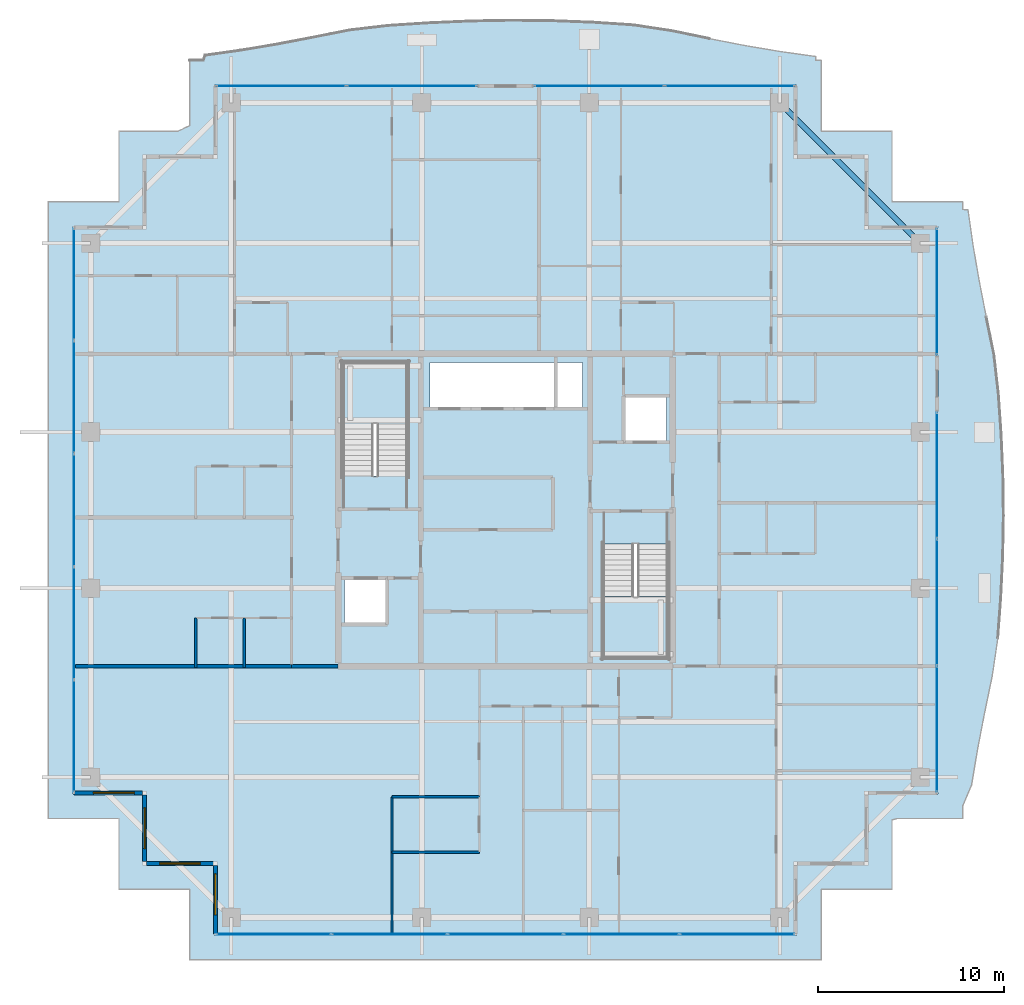
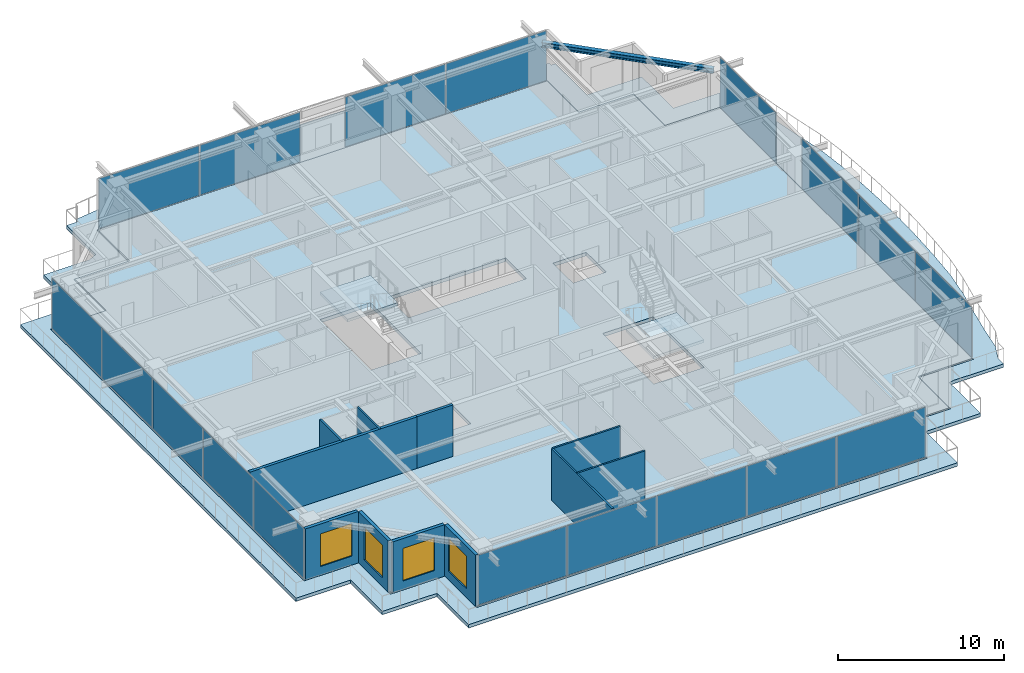
# One storey, part 27 of 39: 18 plates, 11 walls, 4 slabs, 4 windows, 1 beam, 4 openings, 8 elements without a shape of their own.
"""IFC4 building model written with IfcOpenShell, lengths in metres."""

import ifcopenshell
import ifcopenshell.guid

model = None  # the IFC model being written
_history = None  # IfcOwnerHistory: only IFC2X3 demands one
_inside = {}  # id of a spatial element -> (the spatial element, [elements in it])
_under = {}  # id of a project, library or spatial element -> (it, [spatial elements below it])
_declared = {}  # id of a project -> (the project, [libraries it declares])
_typed = {}  # id of a type object -> (the type object, [elements of that type])
_made_of = {}  # id of a material, layer set ... -> (it, [elements and type objects made of it])


def new_model(schema):
    """Start an empty IFC model of exactly this schema.

    Asked for "IFC4X3", IfcOpenShell would pick the latest addendum, in which some entities
    have other attributes; the version numbers below select the first issue.
    IFC2X3 requires an IfcOwnerHistory on every rooted entity: one is made here for all.
    """
    global model, _history
    if schema == "IFC4X3":
        model = ifcopenshell.file(schema_version=(4, 3, 0, 0))
    else:
        model = ifcopenshell.file(schema=schema)
    _inside.clear()
    _under.clear()
    _declared.clear()
    _typed.clear()
    _made_of.clear()
    _history = None
    if model.schema == "IFC2X3":
        org = make("IfcOrganization", Name="unknown")
        user = make(
            "IfcPersonAndOrganization",
            ThePerson=make("IfcPerson", FamilyName="unknown"),
            TheOrganization=org,
        )
        app = make(
            "IfcApplication",
            ApplicationDeveloper=org,
            Version="unknown",
            ApplicationFullName="unknown",
            ApplicationIdentifier="unknown",
        )
        _history = make(
            "IfcOwnerHistory",
            OwningUser=user,
            OwningApplication=app,
            ChangeAction="ADDED",
            CreationDate=0,
        )
    return model


def make(cls, **values):
    """One entity of the class cls with the attributes given. An attribute that is None is left unset."""
    return model.create_entity(
        cls, **{name: value for name, value in values.items() if value is not None}
    )


def rooted(cls, **values):
    """An entity with a GlobalId (a new one), such as an element, a storey or a relation."""
    return make(cls, GlobalId=ifcopenshell.guid.new(), OwnerHistory=_history, **values)


def si_unit(unit_type, name, prefix=None):
    """IfcSIUnit, for example si_unit("LENGTHUNIT", "METRE", prefix="MILLI")."""
    return make("IfcSIUnit", UnitType=unit_type, Prefix=prefix, Name=name)


def assignment(units):
    """IfcUnitAssignment: the units of a project."""
    return None if units is None else make("IfcUnitAssignment", Units=units)


def point(xyz):
    """IfcCartesianPoint."""
    return None if xyz is None else make("IfcCartesianPoint", Coordinates=xyz)


def direction(xyz):
    """IfcDirection."""
    return None if xyz is None else make("IfcDirection", DirectionRatios=xyz)


def frame(location, z_axis=None, x_axis=None):
    """IfcAxis2Placement3D, a coordinate frame: its origin and axes. An axis left out is left unset."""
    return make(
        "IfcAxis2Placement3D",
        Location=point(location),
        Axis=direction(z_axis),
        RefDirection=direction(x_axis),
    )


def frame_2d(location, x_axis=None):
    """IfcAxis2Placement2D, a coordinate frame in the plane: its origin and x axis."""
    return make(
        "IfcAxis2Placement2D", Location=point(location), RefDirection=direction(x_axis)
    )


def origin():
    """The frame at (0, 0, 0) with its axes left unset."""
    return frame((0.0, 0.0, 0.0))


def origin_2d():
    """The frame at (0, 0) in the plane with its x axis left unset."""
    return frame_2d((0.0, 0.0))


def place(relative_to, where):
    """IfcLocalPlacement: puts the frame where relative to a parent placement (None: the world)."""
    return make(
        "IfcLocalPlacement", PlacementRelTo=relative_to, RelativePlacement=where
    )


def context(
    kind, dimensions, precision=None, world=None, true_north=None, identifier=None
):
    """IfcGeometricRepresentationContext, for example the 3D "Model" context."""
    return make(
        "IfcGeometricRepresentationContext",
        ContextIdentifier=identifier,
        ContextType=kind,
        CoordinateSpaceDimension=dimensions,
        Precision=precision,
        WorldCoordinateSystem=world,
        TrueNorth=true_north,
    )


def subcontext(parent, identifier, kind, view, scale=None):
    """IfcGeometricRepresentationSubContext, for example "Body" below "Model"."""
    return make(
        "IfcGeometricRepresentationSubContext",
        ContextIdentifier=identifier,
        ContextType=kind,
        ParentContext=parent,
        TargetScale=scale,
        TargetView=view,
    )


def project(units=None, contexts=None):
    """IfcProject with its units and contexts."""
    return rooted(
        "IfcProject",
        Name="project",
        RepresentationContexts=contexts,
        UnitsInContext=assignment(units),
    )


def spatial(cls, under=None, at=None, **own):
    """A site, building, storey or space (cls), placed at a placement, below another one or the project."""
    s = rooted(cls, ObjectPlacement=at, **own)
    if under is not None:
        _under.setdefault(under.id(), (under, []))[1].append(s)
    return s


def polyline(points):
    """IfcPolyline through the points."""
    return make("IfcPolyline", Points=[point(p) for p in points])


def profile(cls, at=None, kind="AREA", **sizes):
    """A parametric profile (cls). Its sizes go by their IFC names, for example OverallWidth=200.0."""
    return make(cls, ProfileType=kind, Position=at, **sizes)


def rectangle(**sizes):
    """IfcRectangleProfileDef."""
    return profile("IfcRectangleProfileDef", **sizes)


def i_section(**sizes):
    """IfcIShapeProfileDef."""
    return profile("IfcIShapeProfileDef", **sizes)


def outline(outer, holes=None, kind="AREA"):
    """IfcArbitraryClosedProfileDef: a profile drawn as a closed curve; with holes, ...WithVoids."""
    if holes is None:
        return make("IfcArbitraryClosedProfileDef", ProfileType=kind, OuterCurve=outer)
    return make(
        "IfcArbitraryProfileDefWithVoids",
        ProfileType=kind,
        OuterCurve=outer,
        InnerCurves=holes,
    )


def extrude(swept, where, along, depth):
    """IfcExtrudedAreaSolid: the profile swept, set in the frame where, extruded along a direction by depth."""
    return make(
        "IfcExtrudedAreaSolid",
        SweptArea=swept,
        Position=where,
        ExtrudedDirection=direction(along),
        Depth=depth,
    )


def shape(context_of_items, identifier, shape_type, items):
    """IfcShapeRepresentation: the items that make up one representation, for example the "Body"."""
    return make(
        "IfcShapeRepresentation",
        ContextOfItems=context_of_items,
        RepresentationIdentifier=identifier,
        RepresentationType=shape_type,
        Items=items,
    )


def source(mapping_origin, context_of_items, identifier, shape_type, items):
    """IfcRepresentationMap: a shape defined once, which mapped items show again and again."""
    return make(
        "IfcRepresentationMap",
        MappingOrigin=mapping_origin,
        MappedRepresentation=shape(context_of_items, identifier, shape_type, items),
    )


def transform(
    local_origin,
    x_axis=None,
    y_axis=None,
    z_axis=None,
    scale=None,
    scale2=None,
    scale3=None,
    uniform=True,
):
    """IfcCartesianTransformationOperator3D, or its non-uniform kind. x_axis, y_axis, z_axis: its Axis1, 2, 3."""
    if uniform:
        return make(
            "IfcCartesianTransformationOperator3D",
            Axis1=direction(x_axis),
            Axis2=direction(y_axis),
            LocalOrigin=point(local_origin),
            Scale=scale,
            Axis3=direction(z_axis),
        )
    return make(
        "IfcCartesianTransformationOperator3DnonUniform",
        Axis1=direction(x_axis),
        Axis2=direction(y_axis),
        LocalOrigin=point(local_origin),
        Scale=scale,
        Axis3=direction(z_axis),
        Scale2=scale2,
        Scale3=scale3,
    )


def mapped(mapping_source, mapping_target):
    """IfcMappedItem: shows the shape of a source again, moved by a transform."""
    return make(
        "IfcMappedItem", MappingSource=mapping_source, MappingTarget=mapping_target
    )


def material(Name=None, Category=None):
    """IfcMaterial."""
    return make("IfcMaterial", Name=Name, Category=Category)


def layer(
    of_material, thickness, ventilated=None, Name=None, Category=None, Priority=None
):
    """IfcMaterialLayer: one layer of a wall or slab, of a material (None: an air gap)."""
    return make(
        "IfcMaterialLayer",
        Material=of_material,
        LayerThickness=thickness,
        IsVentilated=ventilated,
        Name=Name,
        Category=Category,
        Priority=Priority,
    )


def layer_set(layers, Name=None):
    """IfcMaterialLayerSet."""
    return make("IfcMaterialLayerSet", MaterialLayers=layers, LayerSetName=Name)


def material_profile(
    of_material, cross_section, Name=None, Category=None, Priority=None
):
    """IfcMaterialProfile: a cross section and its material."""
    return make(
        "IfcMaterialProfile",
        Name=Name,
        Material=of_material,
        Profile=cross_section,
        Priority=Priority,
        Category=Category,
    )


def profile_set(profiles, Name=None, composite=None):
    """IfcMaterialProfileSet."""
    return make(
        "IfcMaterialProfileSet",
        Name=Name,
        MaterialProfiles=profiles,
        CompositeProfile=composite,
    )


def made_of(thing, what):
    """Note that an element or type object is made of a material, layer set ...; save() writes the relation."""
    if what is not None:
        _made_of.setdefault(what.id(), (what, []))[1].append(thing)
    return thing


def type_object(cls, material=None, **own):
    """A type object (cls), such as IfcWallType, which elements share."""
    return made_of(rooted(cls, **own), material)


def element(
    cls,
    number,
    at=None,
    inside=None,
    cuts=None,
    type_object=None,
    material=None,
    context=None,
    identifier="Body",
    shape_type=None,
    held_by="IfcProductDefinitionShape",
    body=None,
    shapes=None,
    **own,
):
    """One element of the class cls, such as IfcWall. Its Tag is "e" and its number.

    at: its placement. inside: the storey or other place that contains it. cuts: it is an
    opening in that element (IfcRelVoidsElement). A single representation is given by context,
    identifier, shape_type and body (its items); several are given by shapes. held_by: the class
    of the entity that holds the representations. save() writes the other relations.
    """
    e = rooted(cls, Tag="e%d" % number, ObjectPlacement=at, **own)
    if body is not None:
        shapes = [shape(context, identifier, shape_type, body)]
    if shapes is not None:
        e.Representation = make(held_by, Representations=shapes)
    if inside is not None:
        _inside.setdefault(inside.id(), (inside, []))[1].append(e)
    if cuts is not None:
        rooted(
            "IfcRelVoidsElement", RelatingBuildingElement=cuts, RelatedOpeningElement=e
        )
    if type_object is not None:
        _typed.setdefault(type_object.id(), (type_object, []))[1].append(e)
    return made_of(e, material)


def fill(opening, filler):
    """IfcRelFillsElement: the door or window that sits in an opening."""
    return rooted(
        "IfcRelFillsElement",
        RelatingOpeningElement=opening,
        RelatedBuildingElement=filler,
    )


def aggregate(whole, parts):
    """IfcRelAggregates: a whole, such as a stair, and the parts it consists of."""
    return rooted("IfcRelAggregates", RelatingObject=whole, RelatedObjects=parts)


def save(model, path):
    """Write the relations noted so far, then the file.

    IfcRelAggregates (storeys below a building ...), IfcRelContainedInSpatialStructure (elements
    in a storey), IfcRelDefinesByType, IfcRelAssociatesMaterial and IfcRelDeclares: one each for
    every whole, place, type object, material and project.
    """
    for whole, parts in _under.values():
        aggregate(whole, parts)
    for where, things in _inside.values():
        rooted(
            "IfcRelContainedInSpatialStructure",
            RelatedElements=things,
            RelatingStructure=where,
        )
    for kind, things in _typed.values():
        rooted("IfcRelDefinesByType", RelatedObjects=things, RelatingType=kind)
    for what, things in _made_of.values():
        rooted("IfcRelAssociatesMaterial", RelatedObjects=things, RelatingMaterial=what)
    for by, libraries in _declared.values():
        rooted("IfcRelDeclares", RelatingContext=by, RelatedDefinitions=libraries)
    model.write(path)


model = new_model("IFC4")

# Units and contexts
model_context = context("Model", 3, precision=1e-05, world=origin(), true_north=direction((0.0, 1.0)))
body_context = subcontext(model_context, "Body", "Model", "MODEL_VIEW")
ifc_project = project(units=[si_unit("LENGTHUNIT", "METRE"), si_unit("AREAUNIT", "SQUARE_METRE"), si_unit("VOLUMEUNIT", "CUBIC_METRE"), si_unit("PLANEANGLEUNIT", "RADIAN"), si_unit("MASSUNIT", "GRAM", prefix="KILO")], contexts=[model_context])

# Site, building, storey
site_placement = place(None, origin())
site = spatial("IfcSite", under=ifc_project, at=site_placement, CompositionType="ELEMENT")
building_placement = place(site_placement, origin())
building = spatial("IfcBuilding", under=site, at=building_placement, Name="Serunith Strait Residences", CompositionType="ELEMENT")
storey_placement = place(building_placement, frame((0.0, 0.0, 329.89990234375)))
storey = spatial("IfcBuildingStorey", under=building, at=storey_placement, Name="L82", CompositionType="ELEMENT", Elevation=329.89990234375)

# Beam
ifc_material_1 = material(Name="Steel S355J2", Category="steel")
ifc_material_profile = material_profile(ifc_material_1, i_section(OverallWidth=0.300048828125, OverallDepth=0.360107421875, WebThickness=0.012451171875, FlangeThickness=0.0224609375, FilletRadius=0.027099609375, at=origin_2d()), Name="HEB 360")
ifc_profile_set = profile_set([ifc_material_profile], Name="Steel S355J2")
beam_type = type_object("IfcBeamType", Name="BM-HEB360", PredefinedType="BEAM", material=ifc_profile_set)
shared_shape_1 = source(origin(), body_context, "Body", "SweptSolid", [
    extrude(i_section(OverallWidth=0.300048828125, OverallDepth=0.360107421875, WebThickness=0.012451171875, FlangeThickness=0.0224609375, FilletRadius=0.027099609375, at=origin_2d()), origin(), (0.0, 0.0, 1.0), 10.677490234375),
])
beam_placement = place(storey_placement, frame((54.699951171875, 39.550048828125, 3.5771484375), z_axis=(-0.707106781187, 0.707106781187, 0.0), x_axis=(-0.707106781187, -0.707106781187, 0.0)))
element("IfcBeam", 1, at=beam_placement, inside=storey, type_object=beam_type, Name="L82 Perimeter Ring Beam 08", PredefinedType="BEAM", context=body_context, shape_type="MappedRepresentation", body=[
    mapped(shared_shape_1, transform((0.0, 0.0, 0.0), scale=1.0)),
])

# Slab
ifc_material_2 = material(Name="Concrete C50/60", Category="concrete")
ifc_layer_1 = layer(ifc_material_2, 0.239990234375, Name="Concrete C50/60")
ifc_layer_set_1 = layer_set([ifc_layer_1], Name="Concrete C50/60")
slab_type_1 = type_object("IfcSlabType", Name="SLB-BALC-240", PredefinedType="FLOOR", material=ifc_layer_set_1)
slab_1_placement = place(storey_placement, frame((0.0, 0.0, -0.289794921875)))
element("IfcSlab", 2, at=slab_1_placement, inside=storey, type_object=slab_type_1, Name="L82 Planted Vertical-Forest Balcony Slab", PredefinedType="FLOOR", context=body_context, shape_type="SweptSolid", body=[
    extrude(outline(polyline([(15.419921875, 49.3798828125), (16.15478515625, 49.3798828125), (16.243896484375, 49.6484375), (18.1455078125, 49.9150390625), (20.064453125, 50.23681640625), (22.017578125, 50.60791015625), (24.0234375, 51.008544921875), (26.134765625, 51.25146484375), (28.302734375, 51.39208984375), (30.49755859375, 51.48779296875), (32.7080078125, 51.527587890625), (34.9189453125, 51.505126953125), (37.114990234375, 51.419921875), (39.281982421875, 51.27880859375), (41.364013671875, 50.962158203125), (43.351806640625, 50.55029296875), (45.288330078125, 50.17333984375), (47.1943359375, 49.85107421875), (49.0869140625, 49.58837890625), (49.084716796875, 49.3798828125), (49.3798828125, 49.3798828125), (49.3798828125, 45.580078125), (53.179931640625, 45.580078125), (53.179931640625, 41.876220703125), (53.194580078125, 41.780029296875), (56.97998046875, 41.780029296875), (56.97998046875, 41.364990234375), (57.264892578125, 41.347900390625), (57.537109375, 39.447998046875), (57.86767578125, 37.53125), (58.25, 35.580810546875), (58.66357421875, 33.5771484375), (58.905517578125, 31.464599609375), (59.054443359375, 29.297607421875), (59.1494140625, 27.102294921875), (59.1787109375, 24.89208984375), (59.13818359375, 22.68359375), (59.03271484375, 20.493408203125), (58.8740234375, 18.334228515625), (58.563232421875, 16.25341796875), (58.151611328125, 14.2666015625), (57.778076171875, 12.32861328125), (57.459716796875, 10.419921875), (56.97998046875, 9.302490234375), (56.97998046875, 8.6201171875), (53.468017578125, 8.6201171875), (53.179931640625, 8.547607421875), (53.179931640625, 4.820068359375), (49.392578125, 4.820068359375), (49.3798828125, 4.815185546875), (49.3798828125, 1.02001953125), (15.419921875, 1.02001953125), (15.419921875, 4.820068359375), (11.6201171875, 4.820068359375), (11.6201171875, 8.6201171875), (7.820068359375, 8.6201171875), (7.820068359375, 41.780029296875), (11.6201171875, 41.780029296875), (11.6201171875, 45.580078125), (14.80859375, 45.580078125), (15.419921875, 45.867919921875), (15.419921875, 49.3798828125)]), holes=[polyline([(48.054931640625, 2.344970703125), (48.054931640625, 6.14501953125), (51.85498046875, 6.14501953125), (51.85498046875, 9.945068359375), (55.655029296875, 9.945068359375), (55.655029296875, 40.455078125), (51.85498046875, 40.455078125), (51.85498046875, 44.2548828125), (48.054931640625, 44.2548828125), (48.054931640625, 48.054931640625), (16.7451171875, 48.054931640625), (16.7451171875, 44.2548828125), (12.945068359375, 44.2548828125), (12.945068359375, 40.455078125), (9.14501953125, 40.455078125), (9.14501953125, 9.945068359375), (12.945068359375, 9.945068359375), (12.945068359375, 6.14501953125), (16.7451171875, 6.14501953125), (16.7451171875, 2.344970703125), (48.054931640625, 2.344970703125)])]), origin(), (0.0, 0.0, 1.0), 0.239990234375),
])

# Stair, slab
stair_type_1 = type_object("IfcStairType", Name="STR-CORE-1", PredefinedType="HALF_TURN_STAIR", material=ifc_material_2)
stair_1_placement = place(storey_placement, origin())
stair_1 = element("IfcStair", 3, at=stair_1_placement, inside=storey, type_object=stair_type_1, Name="L82 Protected Escape Stair ST-1", PredefinedType="HALF_TURN_STAIR")
ifc_layer_2 = layer(ifc_material_2, 0.199951171875, Name="Concrete C50/60")
ifc_layer_set_2 = layer_set([ifc_layer_2], Name="Concrete C50/60")
slab_type_2 = type_object("IfcSlabType", Name="SLB-LAND-200", PredefinedType="LANDING", material=ifc_layer_set_2)
slab_2_placement = place(storey_placement, frame((0.0, 0.0, 1.8251953125)))
slab_2 = element("IfcSlab", 4, at=slab_2_placement, type_object=slab_type_2, Name="ST-1 landing 1", PredefinedType="LANDING", context=body_context, shape_type="SweptSolid", body=[
    extrude(outline(polyline([(27.14990234375, 29.830078125), (27.14990234375, 33.14990234375), (23.64990234375, 33.14990234375), (23.64990234375, 29.830078125), (27.14990234375, 29.830078125)])), origin(), (0.0, 0.0, 1.0), 0.199951171875),
])
aggregate(stair_1, [slab_2])

stair_type_2 = type_object("IfcStairType", Name="STR-CORE-2", PredefinedType="HALF_TURN_STAIR", material=ifc_material_2)
stair_2_placement = place(storey_placement, origin())
stair_2 = element("IfcStair", 5, at=stair_2_placement, inside=storey, type_object=stair_type_2, Name="L82 Protected Escape Stair ST-2", PredefinedType="HALF_TURN_STAIR")
slab_3_placement = place(storey_placement, frame((0.0, 0.0, 1.8251953125)))
slab_3 = element("IfcSlab", 6, at=slab_3_placement, type_object=slab_type_2, Name="ST-2 landing 1", PredefinedType="LANDING", context=body_context, shape_type="SweptSolid", body=[
    extrude(outline(polyline([(37.64990234375, 20.570068359375), (37.64990234375, 17.25), (41.14990234375, 17.25), (41.14990234375, 20.570068359375), (37.64990234375, 20.570068359375)])), origin(), (0.0, 0.0, 1.0), 0.199951171875),
])
aggregate(stair_2, [slab_3])

# Slab
ifc_material_3 = material(Name="Concrete C60/75", Category="concrete")
ifc_layer_3 = layer(ifc_material_3, 0.260009765625, Name="Concrete C60/75")
ifc_layer_set_3 = layer_set([ifc_layer_3], Name="Concrete C60/75")
slab_type_3 = type_object("IfcSlabType", Name="SLB-TWR-290-Z4", PredefinedType="FLOOR", material=ifc_layer_set_3)
slab_4_placement = place(storey_placement, frame((0.0, 0.0, -0.260009765625)))
element("IfcSlab", 7, at=slab_4_placement, inside=storey, type_object=slab_type_3, Name="L82 Structural Floor Plate", PredefinedType="FLOOR", context=body_context, shape_type="SweptSolid", body=[
    extrude(outline(polyline([(16.800048828125, 6.199951171875), (13.0, 6.199951171875), (13.0, 10.0), (9.199951171875, 10.0), (9.199951171875, 40.39990234375), (13.0, 40.39990234375), (13.0, 44.199951171875), (16.800048828125, 44.199951171875), (16.800048828125, 48.0), (48.0, 48.0), (48.0, 44.199951171875), (51.800048828125, 44.199951171875), (51.800048828125, 40.39990234375), (55.60009765625, 40.39990234375), (55.60009765625, 10.0), (51.800048828125, 10.0), (51.800048828125, 6.199951171875), (48.0, 6.199951171875), (48.0, 2.39990234375), (16.800048828125, 2.39990234375), (16.800048828125, 6.199951171875)]), holes=[polyline([(41.14990234375, 23.3701171875), (37.64990234375, 23.3701171875), (37.64990234375, 17.25), (41.14990234375, 17.25), (41.14990234375, 23.3701171875)]), polyline([(38.75, 31.25), (38.75, 28.85009765625), (41.050048828125, 28.85009765625), (41.050048828125, 31.25), (38.75, 31.25)]), polyline([(36.550048828125, 33.14990234375), (28.35009765625, 33.14990234375), (28.35009765625, 30.64990234375), (36.550048828125, 30.64990234375), (36.550048828125, 33.14990234375)]), polyline([(23.64990234375, 33.14990234375), (23.64990234375, 27.030029296875), (27.14990234375, 27.030029296875), (27.14990234375, 33.14990234375), (23.64990234375, 33.14990234375)]), polyline([(23.75, 21.550048828125), (23.75, 19.14990234375), (26.050048828125, 19.14990234375), (26.050048828125, 21.550048828125), (23.75, 21.550048828125)])]), origin(), (0.0, 0.0, 1.0), 0.260009765625),
])

# Curtain wall, plates
ifc_material_4 = material(Name="Brushed Stainless-Silver Aluminium", Category="aluminium")
ifc_layer_4 = layer(ifc_material_4, 0.199951171875, Name="Brushed Stainless-Silver Aluminium")
ifc_layer_set_4 = layer_set([ifc_layer_4], Name="Brushed Stainless-Silver Aluminium")
curtain_wall_type = type_object("IfcCurtainWallType", Name="CW-SYS5", PredefinedType="NOTDEFINED", material=ifc_layer_set_4)
curtain_wall_1_placement = place(storey_placement, origin())
curtain_wall_1 = element("IfcCurtainWall", 8, at=curtain_wall_1_placement, inside=storey, type_object=curtain_wall_type, Name="L82 N Unitised Fritted Curtain Wall", PredefinedType="NOTDEFINED")
ifc_material_5 = material(Name="Triple-Silver Low-E Operable Glazing 34mm", Category="glass")
ifc_layer_5 = layer(ifc_material_5, 0.033935546875, Name="Triple-Silver Low-E Operable Glazing 34mm")
ifc_layer_set_5 = layer_set([ifc_layer_5], Name="Triple-Silver Low-E Operable Glazing 34mm")
plate_type = type_object("IfcPlateType", Name="CW-SYS5-PNL", PredefinedType="CURTAIN_PANEL", material=ifc_layer_set_5)
shared_shape_2 = source(origin(), body_context, "Body", "SweptSolid", [
    extrude(rectangle(XDim=6.952392578125, YDim=0.033935546875, at=origin_2d()), origin(), (0.0, 0.0, 1.0), 3.655029296875),
])
plate_1_placement = place(storey_placement, frame((44.458740234375, 48.0, 0.06005859375), z_axis=(0.0, 0.0, 1.0), x_axis=(-1.0, 0.0, 0.0)))
plate_1 = element("IfcPlate", 9, at=plate_1_placement, type_object=plate_type, Name="CW-5 panel 1.1", PredefinedType="CURTAIN_PANEL", context=body_context, shape_type="MappedRepresentation", body=[
    mapped(shared_shape_2, transform((0.0, 0.0, 0.0), scale=1.0)),
])
plate_2_placement = place(storey_placement, frame((37.441162109375, 48.0, 0.06005859375), z_axis=(0.0, 0.0, 1.0), x_axis=(-1.0, 0.0, 0.0)))
plate_2 = element("IfcPlate", 10, at=plate_2_placement, type_object=plate_type, Name="CW-5 panel 2.1", PredefinedType="CURTAIN_PANEL", context=body_context, shape_type="MappedRepresentation", body=[
    mapped(shared_shape_2, transform((0.0, 0.0, 0.0), scale=1.0)),
])
aggregate(curtain_wall_1, [plate_1, plate_2])

curtain_wall_2_placement = place(storey_placement, origin())
curtain_wall_2 = element("IfcCurtainWall", 11, at=curtain_wall_2_placement, inside=storey, type_object=curtain_wall_type, Name="L82 N Unitised Fritted Curtain Wall", PredefinedType="NOTDEFINED")
plate_3_placement = place(storey_placement, frame((27.358642578125, 48.0, 0.06005859375), z_axis=(0.0, 0.0, 1.0), x_axis=(-1.0, 0.0, 0.0)))
plate_3 = element("IfcPlate", 12, at=plate_3_placement, type_object=plate_type, Name="CW-5 panel 1.1", PredefinedType="CURTAIN_PANEL", context=body_context, shape_type="MappedRepresentation", body=[
    mapped(shared_shape_2, transform((0.0, 0.0, 0.0), scale=1.0)),
])
plate_4_placement = place(storey_placement, frame((20.34130859375, 48.0, 0.06005859375), z_axis=(0.0, 0.0, 1.0), x_axis=(-1.0, 0.0, 0.0)))
plate_4 = element("IfcPlate", 13, at=plate_4_placement, type_object=plate_type, Name="CW-5 panel 2.1", PredefinedType="CURTAIN_PANEL", context=body_context, shape_type="MappedRepresentation", body=[
    mapped(shared_shape_2, transform((0.0, 0.0, 0.0), scale=1.0)),
])
aggregate(curtain_wall_2, [plate_3, plate_4])

curtain_wall_3_placement = place(storey_placement, origin())
curtain_wall_3 = element("IfcCurtainWall", 14, at=curtain_wall_3_placement, inside=storey, type_object=curtain_wall_type, Name="L82 S Unitised Fritted Curtain Wall", PredefinedType="NOTDEFINED")
shared_shape_3 = source(origin(), body_context, "Body", "SweptSolid", [
    extrude(rectangle(XDim=6.142578125, YDim=0.033935546875, at=origin_2d()), origin(), (0.0, 0.0, 1.0), 3.655029296875),
])
plate_5_placement = place(storey_placement, frame((19.936279296875, 2.39990234375, 0.06005859375), z_axis=(0.0, 0.0, 1.0), x_axis=(1.0, 0.0, 0.0)))
plate_5 = element("IfcPlate", 15, at=plate_5_placement, type_object=plate_type, Name="CW-5 panel 1.1", PredefinedType="CURTAIN_PANEL", context=body_context, shape_type="MappedRepresentation", body=[
    mapped(shared_shape_3, transform((0.0, 0.0, 0.0), scale=1.0)),
])
plate_6_placement = place(storey_placement, frame((44.86376953125, 2.39990234375, 0.06005859375), z_axis=(0.0, 0.0, 1.0), x_axis=(1.0, 0.0, 0.0)))
plate_6 = element("IfcPlate", 16, at=plate_6_placement, type_object=plate_type, Name="CW-5 panel 5.1", PredefinedType="CURTAIN_PANEL", context=body_context, shape_type="MappedRepresentation", body=[
    mapped(shared_shape_3, transform((0.0, 0.0, 0.0), scale=1.0)),
])
shared_shape_4 = source(origin(), body_context, "Body", "SweptSolid", [
    extrude(rectangle(XDim=6.175048828125, YDim=0.033935546875, at=origin_2d()), origin(), (0.0, 0.0, 1.0), 3.655029296875),
])
plate_7_placement = place(storey_placement, frame((26.159912109375, 2.39990234375, 0.06005859375), z_axis=(0.0, 0.0, 1.0), x_axis=(1.0, 0.0, 0.0)))
plate_7 = element("IfcPlate", 17, at=plate_7_placement, type_object=plate_type, Name="CW-5 panel 2.1", PredefinedType="CURTAIN_PANEL", context=body_context, shape_type="MappedRepresentation", body=[
    mapped(shared_shape_4, transform((0.0, 0.0, 0.0), scale=1.0)),
])
plate_8_placement = place(storey_placement, frame((32.39990234375, 2.39990234375, 0.06005859375), z_axis=(0.0, 0.0, 1.0), x_axis=(1.0, 0.0, 0.0)))
plate_8 = element("IfcPlate", 18, at=plate_8_placement, type_object=plate_type, Name="CW-5 panel 3.1", PredefinedType="CURTAIN_PANEL", context=body_context, shape_type="MappedRepresentation", body=[
    mapped(shared_shape_4, transform((0.0, 0.0, 0.0), scale=1.0)),
])
plate_9_placement = place(storey_placement, frame((38.639892578125, 2.39990234375, 0.06005859375), z_axis=(0.0, 0.0, 1.0), x_axis=(1.0, 0.0, 0.0)))
plate_9 = element("IfcPlate", 19, at=plate_9_placement, type_object=plate_type, Name="CW-5 panel 4.1", PredefinedType="CURTAIN_PANEL", context=body_context, shape_type="MappedRepresentation", body=[
    mapped(shared_shape_4, transform((0.0, 0.0, 0.0), scale=1.0)),
])
aggregate(curtain_wall_3, [plate_5, plate_7, plate_8, plate_9, plate_6])

curtain_wall_4_placement = place(storey_placement, origin())
curtain_wall_4 = element("IfcCurtainWall", 20, at=curtain_wall_4_placement, inside=storey, type_object=curtain_wall_type, Name="L82 W Unitised Fritted Curtain Wall", PredefinedType="NOTDEFINED")
shared_shape_5 = source(origin(), body_context, "Body", "SweptSolid", [
    extrude(rectangle(XDim=5.982421875, YDim=0.033935546875, at=origin_2d()), origin(), (0.0, 0.0, 1.0), 3.655029296875),
])
plate_10_placement = place(storey_placement, frame((9.199951171875, 37.34375, 0.06005859375), z_axis=(0.0, 0.0, 1.0), x_axis=(0.0, -1.0, 0.0)))
plate_10 = element("IfcPlate", 21, at=plate_10_placement, type_object=plate_type, Name="CW-5 panel 1.1", PredefinedType="CURTAIN_PANEL", context=body_context, shape_type="MappedRepresentation", body=[
    mapped(shared_shape_5, transform((0.0, 0.0, 0.0), scale=1.0)),
])
plate_11_placement = place(storey_placement, frame((9.199951171875, 13.05615234375, 0.06005859375), z_axis=(0.0, 0.0, 1.0), x_axis=(0.0, -1.0, 0.0)))
plate_11 = element("IfcPlate", 22, at=plate_11_placement, type_object=plate_type, Name="CW-5 panel 5.1", PredefinedType="CURTAIN_PANEL", context=body_context, shape_type="MappedRepresentation", body=[
    mapped(shared_shape_5, transform((0.0, 0.0, 0.0), scale=1.0)),
])
shared_shape_6 = source(origin(), body_context, "Body", "SweptSolid", [
    extrude(rectangle(XDim=6.014892578125, YDim=0.033935546875, at=origin_2d()), origin(), (0.0, 0.0, 1.0), 3.655029296875),
])
plate_12_placement = place(storey_placement, frame((9.199951171875, 31.280029296875, 0.06005859375), z_axis=(0.0, 0.0, 1.0), x_axis=(0.0, -1.0, 0.0)))
plate_12 = element("IfcPlate", 23, at=plate_12_placement, type_object=plate_type, Name="CW-5 panel 2.1", PredefinedType="CURTAIN_PANEL", context=body_context, shape_type="MappedRepresentation", body=[
    mapped(shared_shape_6, transform((0.0, 0.0, 0.0), scale=1.0)),
])
plate_13_placement = place(storey_placement, frame((9.199951171875, 25.199951171875, 0.06005859375), z_axis=(0.0, 0.0, 1.0), x_axis=(0.0, -1.0, 0.0)))
plate_13 = element("IfcPlate", 24, at=plate_13_placement, type_object=plate_type, Name="CW-5 panel 3.1", PredefinedType="CURTAIN_PANEL", context=body_context, shape_type="MappedRepresentation", body=[
    mapped(shared_shape_6, transform((0.0, 0.0, 0.0), scale=1.0)),
])
plate_14_placement = place(storey_placement, frame((9.199951171875, 19.1201171875, 0.06005859375), z_axis=(0.0, 0.0, 1.0), x_axis=(0.0, -1.0, 0.0)))
plate_14 = element("IfcPlate", 25, at=plate_14_placement, type_object=plate_type, Name="CW-5 panel 4.1", PredefinedType="CURTAIN_PANEL", context=body_context, shape_type="MappedRepresentation", body=[
    mapped(shared_shape_6, transform((0.0, 0.0, 0.0), scale=1.0)),
])
aggregate(curtain_wall_4, [plate_10, plate_12, plate_13, plate_14, plate_11])

curtain_wall_5_placement = place(storey_placement, origin())
curtain_wall_5 = element("IfcCurtainWall", 26, at=curtain_wall_5_placement, inside=storey, type_object=curtain_wall_type, Name="L82 E Unitised Fritted Curtain Wall", PredefinedType="NOTDEFINED")
shared_shape_7 = source(origin(), body_context, "Body", "SweptSolid", [
    extrude(rectangle(XDim=6.73583984375, YDim=0.033935546875, at=origin_2d()), origin(), (0.0, 0.0, 1.0), 3.655029296875),
])
plate_15_placement = place(storey_placement, frame((55.60009765625, 13.432861328125, 0.06005859375), z_axis=(0.0, 0.0, 1.0), x_axis=(0.0, 1.0, 0.0)))
plate_15 = element("IfcPlate", 27, at=plate_15_placement, type_object=plate_type, Name="CW-5 panel 1.1", PredefinedType="CURTAIN_PANEL", context=body_context, shape_type="MappedRepresentation", body=[
    mapped(shared_shape_7, transform((0.0, 0.0, 0.0), scale=1.0)),
])
plate_16_placement = place(storey_placement, frame((55.60009765625, 27.067138671875, 0.06005859375), z_axis=(0.0, 0.0, 1.0), x_axis=(0.0, 1.0, 0.0)))
plate_16 = element("IfcPlate", 28, at=plate_16_placement, type_object=plate_type, Name="CW-5 panel 3.1", PredefinedType="CURTAIN_PANEL", context=body_context, shape_type="MappedRepresentation", body=[
    mapped(shared_shape_7, transform((0.0, 0.0, 0.0), scale=1.0)),
])
shared_shape_8 = source(origin(), body_context, "Body", "SweptSolid", [
    extrude(rectangle(XDim=6.768310546875, YDim=0.033935546875, at=origin_2d()), origin(), (0.0, 0.0, 1.0), 3.655029296875),
])
plate_17_placement = place(storey_placement, frame((55.60009765625, 20.25, 0.06005859375), z_axis=(0.0, 0.0, 1.0), x_axis=(0.0, 1.0, 0.0)))
plate_17 = element("IfcPlate", 29, at=plate_17_placement, type_object=plate_type, Name="CW-5 panel 2.1", PredefinedType="CURTAIN_PANEL", context=body_context, shape_type="MappedRepresentation", body=[
    mapped(shared_shape_8, transform((0.0, 0.0, 0.0), scale=1.0)),
])
aggregate(curtain_wall_5, [plate_15, plate_17, plate_16])

# Curtain wall, plate
curtain_wall_6_placement = place(storey_placement, origin())
curtain_wall_6 = element("IfcCurtainWall", 30, at=curtain_wall_6_placement, inside=storey, type_object=curtain_wall_type, Name="L82 E Unitised Fritted Curtain Wall", PredefinedType="NOTDEFINED")
shared_shape_9 = source(origin(), body_context, "Body", "SweptSolid", [
    extrude(rectangle(XDim=6.77001953125, YDim=0.033935546875, at=origin_2d()), origin(), (0.0, 0.0, 1.0), 3.655029296875),
])
plate_18_placement = place(storey_placement, frame((55.60009765625, 36.949951171875, 0.06005859375), z_axis=(0.0, 0.0, 1.0), x_axis=(0.0, 1.0, 0.0)))
plate_18 = element("IfcPlate", 31, at=plate_18_placement, type_object=plate_type, Name="CW-5 panel 1.1", PredefinedType="CURTAIN_PANEL", context=body_context, shape_type="MappedRepresentation", body=[
    mapped(shared_shape_9, transform((0.0, 0.0, 0.0), scale=1.0)),
])
aggregate(curtain_wall_6, [plate_18])

# Wall, opening, window
ifc_material_6 = material(Name="Pale-Champagne Aluminium Insulated Panel", Category="aluminium")
ifc_layer_6 = layer(ifc_material_6, 0.219970703125, Name="Pale-Champagne Aluminium Insulated Panel")
ifc_layer_set_6 = layer_set([ifc_layer_6], Name="Pale-Champagne Aluminium Insulated Panel")
wall_type_1 = type_object("IfcWallType", Name="EW-ALUM-220", PredefinedType="ELEMENTEDWALL", material=ifc_layer_set_6)
wall_1_placement = place(storey_placement, frame((9.199951171875, 10.0, 0.0), z_axis=(0.0, 0.0, 1.0), x_axis=(1.0, 0.0, 0.0)))
wall_1 = element("IfcWall", 32, at=wall_1_placement, inside=storey, type_object=wall_type_1, Name="L82 Girih Serrated Corner Wall 17", PredefinedType="ELEMENTEDWALL", context=body_context, shape_type="SweptSolid", body=[
    extrude(rectangle(XDim=3.68994140625, YDim=0.219970703125, at=frame_2d((1.844970703125, 0.0))), origin(), (0.0, 0.0, 1.0), 3.775146484375),
])
opening_1_placement = place(wall_1_placement, frame((1.04296875, 0.0, 0.64990234375)))
opening_1 = element("IfcOpeningElement", 33, at=opening_1_placement, cuts=wall_1, Name="Opening W-06", PredefinedType="OPENING", context=body_context, shape_type="SweptSolid", body=[
    extrude(rectangle(XDim=2.199951171875, YDim=2.39990234375, at=frame_2d((1.10009765625, 1.199951171875))), frame((0.0, 0.1201171875, 0.0), z_axis=(0.0, -1.0, 0.0), x_axis=(1.0, 0.0, 0.0)), (0.0, 0.0, 1.0), 0.239990234375),
])
ifc_material_7 = material(Name="Crown Penthouse Low-E Operable Window Glass", Category="glass")
window_type = type_object("IfcWindowType", Name="WIN-C6", PartitioningType="TRIPLE_PANEL_VERTICAL", PredefinedType="WINDOW", material=ifc_material_7)
shared_shape_10 = source(origin(), body_context, "Body", "SweptSolid", [
    extrude(rectangle(XDim=2.199951171875, YDim=2.39990234375, at=frame_2d((1.10009765625, 1.199951171875))), frame((0.0, 0.030029296875, 0.0), z_axis=(0.0, -1.0, 0.0), x_axis=(1.0, 0.0, 0.0)), (0.0, 0.0, 1.0), 0.06005859375),
])
window_1_placement = place(opening_1_placement, origin())
window_1 = element("IfcWindow", 34, at=window_1_placement, inside=storey, type_object=window_type, Name="L82 Corner Operable Fritted Window 17", OverallHeight=2.39990234375, OverallWidth=2.199951171875, PartitioningType="SINGLE_PANEL", PredefinedType="WINDOW", context=body_context, shape_type="MappedRepresentation", body=[
    mapped(shared_shape_10, transform((0.0, 0.0, 0.0), scale=1.0)),
])
fill(opening_1, window_1)

wall_2_placement = place(storey_placement, frame((13.0, 9.889892578125, 0.0), z_axis=(0.0, 0.0, 1.0), x_axis=(0.0, -1.0, 0.0)))
wall_2 = element("IfcWall", 35, at=wall_2_placement, inside=storey, type_object=wall_type_1, Name="L82 Girih Serrated Corner Wall 18", PredefinedType="ELEMENTEDWALL", context=body_context, shape_type="SweptSolid", body=[
    extrude(rectangle(XDim=3.579833984375, YDim=0.219970703125, at=frame_2d((1.7900390625, 0.0))), origin(), (0.0, 0.0, 1.0), 3.775146484375),
])
opening_2_placement = place(wall_2_placement, frame((0.68994140625, 0.0, 0.64990234375)))
opening_2 = element("IfcOpeningElement", 36, at=opening_2_placement, cuts=wall_2, Name="Opening W-06", PredefinedType="OPENING", context=body_context, shape_type="SweptSolid", body=[
    extrude(rectangle(XDim=2.199951171875, YDim=2.39990234375, at=frame_2d((1.10009765625, 1.199951171875))), frame((0.0, 0.1201171875, 0.0), z_axis=(0.0, -1.0, 0.0), x_axis=(1.0, 0.0, 0.0)), (0.0, 0.0, 1.0), 0.239990234375),
])
window_2_placement = place(opening_2_placement, origin())
window_2 = element("IfcWindow", 37, at=window_2_placement, inside=storey, type_object=window_type, Name="L82 Corner Operable Fritted Window 18", OverallHeight=2.39990234375, OverallWidth=2.199951171875, PartitioningType="SINGLE_PANEL", PredefinedType="WINDOW", context=body_context, shape_type="MappedRepresentation", body=[
    mapped(shared_shape_10, transform((0.0, 0.0, 0.0), scale=1.0)),
])
fill(opening_2, window_2)

wall_3_placement = place(storey_placement, frame((13.110107421875, 6.199951171875, 0.0), z_axis=(0.0, 0.0, 1.0), x_axis=(1.0, 0.0, 0.0)))
wall_3 = element("IfcWall", 38, at=wall_3_placement, inside=storey, type_object=wall_type_1, Name="L82 Girih Serrated Corner Wall 19", PredefinedType="ELEMENTEDWALL", context=body_context, shape_type="SweptSolid", body=[
    extrude(rectangle(XDim=3.579833984375, YDim=0.219970703125, at=frame_2d((1.7900390625, 0.0))), origin(), (0.0, 0.0, 1.0), 3.775146484375),
])
opening_3_placement = place(wall_3_placement, frame((0.68994140625, 0.0, 0.64990234375)))
opening_3 = element("IfcOpeningElement", 39, at=opening_3_placement, cuts=wall_3, Name="Opening W-06", PredefinedType="OPENING", context=body_context, shape_type="SweptSolid", body=[
    extrude(rectangle(XDim=2.199951171875, YDim=2.39990234375, at=frame_2d((1.10009765625, 1.199951171875))), frame((0.0, 0.1201171875, 0.0), z_axis=(0.0, -1.0, 0.0), x_axis=(1.0, 0.0, 0.0)), (0.0, 0.0, 1.0), 0.239990234375),
])
window_3_placement = place(opening_3_placement, origin())
window_3 = element("IfcWindow", 40, at=window_3_placement, inside=storey, type_object=window_type, Name="L82 Corner Operable Fritted Window 19", OverallHeight=2.39990234375, OverallWidth=2.199951171875, PartitioningType="SINGLE_PANEL", PredefinedType="WINDOW", context=body_context, shape_type="MappedRepresentation", body=[
    mapped(shared_shape_10, transform((0.0, 0.0, 0.0), scale=1.0)),
])
fill(opening_3, window_3)

wall_4_placement = place(storey_placement, frame((16.800048828125, 6.090087890625, 0.0), z_axis=(0.0, 0.0, 1.0), x_axis=(0.0, -1.0, 0.0)))
wall_4 = element("IfcWall", 41, at=wall_4_placement, inside=storey, type_object=wall_type_1, Name="L82 Girih Serrated Corner Wall 20", PredefinedType="ELEMENTEDWALL", context=body_context, shape_type="SweptSolid", body=[
    extrude(rectangle(XDim=3.690185546875, YDim=0.219970703125, at=frame_2d((1.84521484375, 0.0))), origin(), (0.0, 0.0, 1.0), 3.775146484375),
])
opening_4_placement = place(wall_4_placement, frame((0.447021484375, 0.0, 0.64990234375)))
opening_4 = element("IfcOpeningElement", 42, at=opening_4_placement, cuts=wall_4, Name="Opening W-06", PredefinedType="OPENING", context=body_context, shape_type="SweptSolid", body=[
    extrude(rectangle(XDim=2.199951171875, YDim=2.39990234375, at=frame_2d((1.10009765625, 1.199951171875))), frame((0.0, 0.1201171875, 0.0), z_axis=(0.0, -1.0, 0.0), x_axis=(1.0, 0.0, 0.0)), (0.0, 0.0, 1.0), 0.239990234375),
])
window_4_placement = place(opening_4_placement, origin())
window_4 = element("IfcWindow", 43, at=window_4_placement, inside=storey, type_object=window_type, Name="L82 Corner Operable Fritted Window 20", OverallHeight=2.39990234375, OverallWidth=2.199951171875, PartitioningType="SINGLE_PANEL", PredefinedType="WINDOW", context=body_context, shape_type="MappedRepresentation", body=[
    mapped(shared_shape_10, transform((0.0, 0.0, 0.0), scale=1.0)),
])
fill(opening_4, window_4)

# Walls
ifc_material_8 = material(Name="Fire-rated acoustic gypsum partition")
ifc_layer_7 = layer(ifc_material_8, 0.179931640625, Name="Fire-rated acoustic gypsum partition")
ifc_layer_set_7 = layer_set([ifc_layer_7], Name="Fire-rated acoustic gypsum partition")
wall_type_2 = type_object("IfcWallType", Name="IW-CORR-180", PredefinedType="PARTITIONING", material=ifc_layer_set_7)
wall_5_placement = place(storey_placement, frame((20.902099609375, 16.800048828125, 0.0), z_axis=(0.0, 0.0, 1.0), x_axis=(1.0, 0.0, 0.0)))
element("IfcWall", 44, at=wall_5_placement, inside=storey, type_object=wall_type_2, Name="L82 Partition Wall 025", PredefinedType="PARTITIONING", context=body_context, shape_type="SweptSolid", body=[
    extrude(rectangle(XDim=2.495849609375, YDim=0.179931640625, at=frame_2d((1.248046875, 0.0))), origin(), (0.0, 0.0, 1.0), 3.7900390625),
])
ifc_material_9 = material(Name="Lightweight steel-stud gypsum partition", Category="steel")
ifc_layer_8 = layer(ifc_material_9, 0.1201171875, Name="Lightweight steel-stud gypsum partition")
ifc_layer_set_8 = layer_set([ifc_layer_8], Name="Lightweight steel-stud gypsum partition")
wall_type_3 = type_object("IfcWallType", Name="IW-PART-120", PredefinedType="PARTITIONING", material=ifc_layer_set_8)
wall_6_placement = place(storey_placement, frame((26.300048828125, 6.81201171875, 0.0), z_axis=(0.0, 0.0, 1.0), x_axis=(1.0, 0.0, 0.0)))
element("IfcWall", 45, at=wall_6_placement, inside=storey, type_object=wall_type_3, Name="L82 Partition Wall 042", PredefinedType="PARTITIONING", context=body_context, shape_type="SweptSolid", body=[
    extrude(rectangle(XDim=4.699951171875, YDim=0.1201171875, at=frame_2d((2.35009765625, 0.0))), origin(), (0.0, 0.0, 1.0), 3.7900390625),
])
wall_7_placement = place(storey_placement, frame((26.300048828125, 2.4951171875, 0.0), z_axis=(0.0, 0.0, 1.0), x_axis=(0.0, 1.0, 0.0)))
element("IfcWall", 46, at=wall_7_placement, inside=storey, type_object=wall_type_3, Name="L82 Partition Wall 043", PredefinedType="PARTITIONING", context=body_context, shape_type="SweptSolid", body=[
    extrude(rectangle(XDim=7.2958984375, YDim=0.1201171875, at=frame_2d((3.64794921875, 0.0))), origin(), (0.0, 0.0, 1.0), 3.7900390625),
])
wall_8_placement = place(storey_placement, frame((26.300048828125, 9.791015625, 0.0), z_axis=(0.0, 0.0, 1.0), x_axis=(1.0, 0.0, 0.0)))
element("IfcWall", 47, at=wall_8_placement, inside=storey, type_object=wall_type_3, Name="L82 Partition Wall 044", PredefinedType="PARTITIONING", context=body_context, shape_type="SweptSolid", body=[
    extrude(rectangle(XDim=4.699951171875, YDim=0.1201171875, at=frame_2d((2.35009765625, 0.0))), origin(), (0.0, 0.0, 1.0), 3.7900390625),
])
for number, where, z_axis, x_axis, name in (
    (48, (18.35009765625, 16.739990234375, 0.0), (0.0, 0.0, 1.0), (0.0, 1.0, 0.0), "L82 Partition Wall 077"),
    (49, (15.75, 16.739990234375, 0.0), (0.0, 0.0, 1.0), (0.0, 1.0, 0.0), "L82 Partition Wall 078"),
):
    element("IfcWall", number, at=place(storey_placement, frame(where, z_axis=z_axis, x_axis=x_axis)), inside=storey, type_object=wall_type_3, Name=name, PredefinedType="PARTITIONING", context=body_context, shape_type="SweptSolid", body=[
        extrude(rectangle(XDim=2.659912109375, YDim=0.1201171875, at=frame_2d((1.330078125, 0.0))), origin(), (0.0, 0.0, 1.0), 3.7900390625),
    ])
ifc_material_10 = material(Name="Twin-stud acoustic gypsum board partition")
ifc_layer_9 = layer(ifc_material_10, 0.199951171875, Name="Twin-stud acoustic gypsum board partition")
ifc_layer_set_9 = layer_set([ifc_layer_9], Name="Twin-stud acoustic gypsum board partition")
wall_type_4 = type_object("IfcWallType", Name="IW-PARTY-200", PredefinedType="PARTITIONING", material=ifc_layer_set_9)
wall_9_placement = place(storey_placement, frame((9.281982421875, 16.800048828125, 0.0), z_axis=(0.0, 0.0, 1.0), x_axis=(1.0, 0.0, 0.0)))
element("IfcWall", 50, at=wall_9_placement, inside=storey, type_object=wall_type_4, Name="L82 Partition Wall 021", PredefinedType="PARTITIONING", context=body_context, shape_type="SweptSolid", body=[
    extrude(rectangle(XDim=11.617919921875, YDim=0.199951171875, at=frame_2d((5.80908203125, 0.0))), origin(), (0.0, 0.0, 1.0), 3.7900390625),
])

save(model, "model.ifc")
